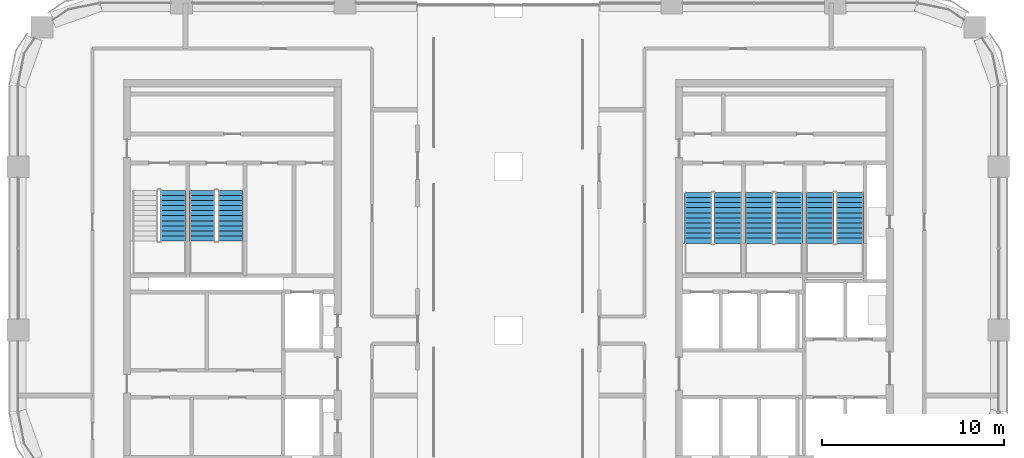
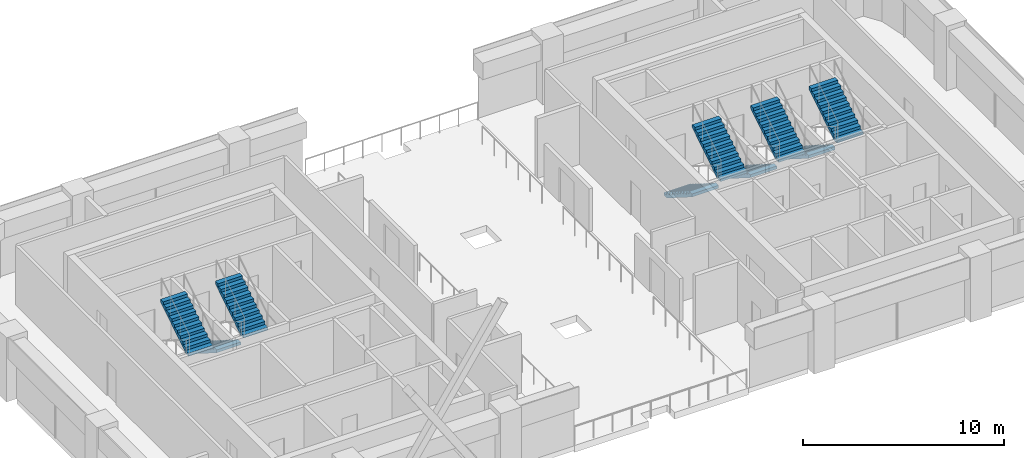
# One storey, part 9 of 11: 9 stair flights, 5 elements without a shape of their own.
"""IFC4 building model written with IfcOpenShell, lengths in metres."""

from ifc_helpers import new_model, si_unit, direction, frame, origin, place, context, subcontext, project, spatial, polyline, outline, extrude, material, type_object, element, aggregate, save


model = new_model("IFC4")

# Units and contexts
model_context = context("Model", 3, precision=1e-05, world=origin(), true_north=direction((0.0, 1.0)))
body_context = subcontext(model_context, "Body", "Model", "MODEL_VIEW")
ifc_project = project(units=[si_unit("LENGTHUNIT", "METRE"), si_unit("AREAUNIT", "SQUARE_METRE"), si_unit("VOLUMEUNIT", "CUBIC_METRE"), si_unit("PLANEANGLEUNIT", "RADIAN"), si_unit("MASSUNIT", "GRAM", prefix="KILO")], contexts=[model_context])

# Site, building, storey
site_placement = place(None, origin())
site = spatial("IfcSite", under=ifc_project, at=site_placement, CompositionType="ELEMENT")
building_placement = place(site_placement, origin())
building = spatial("IfcBuilding", under=site, at=building_placement, Name="Tessera Arch", CompositionType="ELEMENT")
storey_placement = place(building_placement, frame((0.0, 0.0, 203.300048828125)))
storey = spatial("IfcBuildingStorey", under=building, at=storey_placement, Name="L48", CompositionType="ELEMENT", Elevation=203.300048828125)

# Stair, stair flight
ifc_material_1 = material(Name="Concrete C40/50", Category="concrete")
stair_type_1 = type_object("IfcStairType", Name="Dogleg stair 1400", PredefinedType="HALF_TURN_STAIR", material=ifc_material_1)
stair_1_placement = place(storey_placement, origin())
stair_1 = element("IfcStair", 1, at=stair_1_placement, inside=storey, type_object=stair_type_1, Name="L48 S2a", PredefinedType="HALF_TURN_STAIR")
ifc_material_2 = material(Name="Concrete C40/50", Category="concrete")
stair_flight_type_1 = type_object("IfcStairFlightType", Name="Stair flight 1400", PredefinedType="STRAIGHT", material=ifc_material_2)
stair_flight_1_placement = place(storey_placement, frame((8.550048828125, 40.89990234375, 1.949951171875), z_axis=(0.0, 0.0, 1.0), x_axis=(0.0, 1.0, 0.0)))
stair_flight_1 = element("IfcStairFlight", 2, at=stair_flight_1_placement, type_object=stair_flight_type_1, Name="S2a flight 2", NumberOfRisers=11, NumberOfTreads=10, PredefinedType="STRAIGHT", RiserHeight=0.177272727, TreadLength=0.28, context=body_context, shape_type="SweptSolid", body=[
    extrude(outline(polyline([(0.0, 0.0), (0.0, 0.17724609375), (0.280029296875, 0.17724609375), (0.280029296875, 0.3544921875), (0.56005859375, 0.3544921875), (0.56005859375, 0.53173828125), (0.840087890625, 0.53173828125), (0.840087890625, 0.708984375), (1.1201171875, 0.708984375), (1.1201171875, 0.886474609375), (1.39990234375, 0.886474609375), (1.39990234375, 1.063720703125), (1.679931640625, 1.063720703125), (1.679931640625, 1.240966796875), (1.9599609375, 1.240966796875), (1.9599609375, 1.418212890625), (2.239990234375, 1.418212890625), (2.239990234375, 1.595458984375), (2.52001953125, 1.595458984375), (2.52001953125, 1.772705078125), (2.800048828125, 1.772705078125), (2.800048828125, 1.949951171875), (2.800048828125, 1.59521484375), (0.2802734375, 0.0), (0.0, 0.0)])), frame((0.0, 0.699951171875, 0.0), z_axis=(0.0, -1.0, 0.0), x_axis=(1.0, 0.0, 0.0)), (0.0, 0.0, 1.0), 1.39990234375),
])
aggregate(stair_1, [stair_flight_1])

# Stair, stair flights
stair_2_placement = place(storey_placement, origin())
stair_2 = element("IfcStair", 3, at=stair_2_placement, inside=storey, type_object=stair_type_1, Name="L48 S2b", PredefinedType="HALF_TURN_STAIR")
stair_flight_2_placement = place(storey_placement, frame((10.14990234375, 43.699951171875, 0.0), z_axis=(0.0, 0.0, 1.0), x_axis=(0.0, -1.0, 0.0)))
stair_flight_2 = element("IfcStairFlight", 4, at=stair_flight_2_placement, type_object=stair_flight_type_1, Name="S2b flight 1", NumberOfRisers=11, NumberOfTreads=10, PredefinedType="STRAIGHT", RiserHeight=0.177272727, TreadLength=0.28, context=body_context, shape_type="SweptSolid", body=[
    extrude(outline(polyline([(0.0, 0.0), (0.0, 0.17724609375), (0.280029296875, 0.17724609375), (0.280029296875, 0.3544921875), (0.56005859375, 0.3544921875), (0.56005859375, 0.53173828125), (0.840087890625, 0.53173828125), (0.840087890625, 0.708984375), (1.1201171875, 0.708984375), (1.1201171875, 0.886474609375), (1.39990234375, 0.886474609375), (1.39990234375, 1.063720703125), (1.679931640625, 1.063720703125), (1.679931640625, 1.240966796875), (1.9599609375, 1.240966796875), (1.9599609375, 1.418212890625), (2.239990234375, 1.418212890625), (2.239990234375, 1.595458984375), (2.52001953125, 1.595458984375), (2.52001953125, 1.772705078125), (2.800048828125, 1.772705078125), (2.800048828125, 1.949951171875), (2.800048828125, 1.59521484375), (0.2802734375, 0.0), (0.0, 0.0)])), frame((0.0, 0.699951171875, 0.0), z_axis=(0.0, -1.0, 0.0), x_axis=(1.0, 0.0, 0.0)), (0.0, 0.0, 1.0), 1.39990234375),
])
stair_flight_3_placement = place(storey_placement, frame((11.699951171875, 40.89990234375, 1.949951171875), z_axis=(0.0, 0.0, 1.0), x_axis=(0.0, 1.0, 0.0)))
stair_flight_3 = element("IfcStairFlight", 5, at=stair_flight_3_placement, type_object=stair_flight_type_1, Name="S2b flight 2", NumberOfRisers=11, NumberOfTreads=10, PredefinedType="STRAIGHT", RiserHeight=0.177272727, TreadLength=0.28, context=body_context, shape_type="SweptSolid", body=[
    extrude(outline(polyline([(0.0, 0.0), (0.0, 0.17724609375), (0.280029296875, 0.17724609375), (0.280029296875, 0.3544921875), (0.56005859375, 0.3544921875), (0.56005859375, 0.53173828125), (0.840087890625, 0.53173828125), (0.840087890625, 0.708984375), (1.1201171875, 0.708984375), (1.1201171875, 0.886474609375), (1.39990234375, 0.886474609375), (1.39990234375, 1.063720703125), (1.679931640625, 1.063720703125), (1.679931640625, 1.240966796875), (1.9599609375, 1.240966796875), (1.9599609375, 1.418212890625), (2.239990234375, 1.418212890625), (2.239990234375, 1.595458984375), (2.52001953125, 1.595458984375), (2.52001953125, 1.772705078125), (2.800048828125, 1.772705078125), (2.800048828125, 1.949951171875), (2.800048828125, 1.59521484375), (0.2802734375, 0.0), (0.0, 0.0)])), frame((0.0, 0.699951171875, 0.0), z_axis=(0.0, -1.0, 0.0), x_axis=(1.0, 0.0, 0.0)), (0.0, 0.0, 1.0), 1.39990234375),
])
aggregate(stair_2, [stair_flight_2, stair_flight_3])

ifc_material_3 = material(Name="Concrete C40/50", Category="concrete")
stair_type_2 = type_object("IfcStairType", Name="Dogleg stair 1520", PredefinedType="HALF_TURN_STAIR", material=ifc_material_3)
stair_3_placement = place(storey_placement, origin())
stair_3 = element("IfcStair", 6, at=stair_3_placement, inside=storey, type_object=stair_type_2, Name="L48 S1a", PredefinedType="HALF_TURN_STAIR")
ifc_material_4 = material(Name="Concrete C40/50", Category="concrete")
stair_flight_type_2 = type_object("IfcStairFlightType", Name="Stair flight 1520", PredefinedType="STRAIGHT", material=ifc_material_4)
stair_flight_4_placement = place(storey_placement, frame((37.4599609375, 43.580078125, 0.0), z_axis=(0.0, 0.0, 1.0), x_axis=(0.0, -1.0, 0.0)))
stair_flight_4 = element("IfcStairFlight", 7, at=stair_flight_4_placement, type_object=stair_flight_type_2, Name="S1a flight 1", NumberOfRisers=11, NumberOfTreads=10, PredefinedType="STRAIGHT", RiserHeight=0.177272727, TreadLength=0.28, context=body_context, shape_type="SweptSolid", body=[
    extrude(outline(polyline([(0.0, 0.0), (0.0, 0.17724609375), (0.280029296875, 0.17724609375), (0.280029296875, 0.3544921875), (0.56005859375, 0.3544921875), (0.56005859375, 0.53173828125), (0.840087890625, 0.53173828125), (0.840087890625, 0.708984375), (1.1201171875, 0.708984375), (1.1201171875, 0.886474609375), (1.39990234375, 0.886474609375), (1.39990234375, 1.063720703125), (1.679931640625, 1.063720703125), (1.679931640625, 1.240966796875), (1.9599609375, 1.240966796875), (1.9599609375, 1.418212890625), (2.239990234375, 1.418212890625), (2.239990234375, 1.595458984375), (2.52001953125, 1.595458984375), (2.52001953125, 1.772705078125), (2.800048828125, 1.772705078125), (2.800048828125, 1.949951171875), (2.800048828125, 1.59521484375), (0.2802734375, 0.0), (0.0, 0.0)])), frame((0.0, 0.760009765625, 0.0), z_axis=(0.0, -1.0, 0.0), x_axis=(1.0, 0.0, 0.0)), (0.0, 0.0, 1.0), 1.52001953125),
])
stair_flight_5_placement = place(storey_placement, frame((39.090087890625, 40.780029296875, 1.949951171875), z_axis=(0.0, 0.0, 1.0), x_axis=(0.0, 1.0, 0.0)))
stair_flight_5 = element("IfcStairFlight", 8, at=stair_flight_5_placement, type_object=stair_flight_type_2, Name="S1a flight 2", NumberOfRisers=11, NumberOfTreads=10, PredefinedType="STRAIGHT", RiserHeight=0.177272727, TreadLength=0.28, context=body_context, shape_type="SweptSolid", body=[
    extrude(outline(polyline([(0.0, 0.0), (0.0, 0.17724609375), (0.280029296875, 0.17724609375), (0.280029296875, 0.3544921875), (0.56005859375, 0.3544921875), (0.56005859375, 0.53173828125), (0.840087890625, 0.53173828125), (0.840087890625, 0.708984375), (1.1201171875, 0.708984375), (1.1201171875, 0.886474609375), (1.39990234375, 0.886474609375), (1.39990234375, 1.063720703125), (1.679931640625, 1.063720703125), (1.679931640625, 1.240966796875), (1.9599609375, 1.240966796875), (1.9599609375, 1.418212890625), (2.239990234375, 1.418212890625), (2.239990234375, 1.595458984375), (2.52001953125, 1.595458984375), (2.52001953125, 1.772705078125), (2.800048828125, 1.772705078125), (2.800048828125, 1.949951171875), (2.800048828125, 1.59521484375), (0.2802734375, 0.0), (0.0, 0.0)])), frame((0.0, 0.760009765625, 0.0), z_axis=(0.0, -1.0, 0.0), x_axis=(1.0, 0.0, 0.0)), (0.0, 0.0, 1.0), 1.52001953125),
])
aggregate(stair_3, [stair_flight_4, stair_flight_5])

stair_4_placement = place(storey_placement, origin())
stair_4 = element("IfcStair", 9, at=stair_4_placement, inside=storey, type_object=stair_type_2, Name="L48 S1b", PredefinedType="HALF_TURN_STAIR")
stair_flight_6_placement = place(storey_placement, frame((40.81005859375, 43.580078125, 0.0), z_axis=(0.0, 0.0, 1.0), x_axis=(0.0, -1.0, 0.0)))
stair_flight_6 = element("IfcStairFlight", 10, at=stair_flight_6_placement, type_object=stair_flight_type_2, Name="S1b flight 1", NumberOfRisers=11, NumberOfTreads=10, PredefinedType="STRAIGHT", RiserHeight=0.177272727, TreadLength=0.28, context=body_context, shape_type="SweptSolid", body=[
    extrude(outline(polyline([(0.0, 0.0), (0.0, 0.17724609375), (0.280029296875, 0.17724609375), (0.280029296875, 0.3544921875), (0.56005859375, 0.3544921875), (0.56005859375, 0.53173828125), (0.840087890625, 0.53173828125), (0.840087890625, 0.708984375), (1.1201171875, 0.708984375), (1.1201171875, 0.886474609375), (1.39990234375, 0.886474609375), (1.39990234375, 1.063720703125), (1.679931640625, 1.063720703125), (1.679931640625, 1.240966796875), (1.9599609375, 1.240966796875), (1.9599609375, 1.418212890625), (2.239990234375, 1.418212890625), (2.239990234375, 1.595458984375), (2.52001953125, 1.595458984375), (2.52001953125, 1.772705078125), (2.800048828125, 1.772705078125), (2.800048828125, 1.949951171875), (2.800048828125, 1.59521484375), (0.2802734375, 0.0), (0.0, 0.0)])), frame((0.0, 0.760009765625, 0.0), z_axis=(0.0, -1.0, 0.0), x_axis=(1.0, 0.0, 0.0)), (0.0, 0.0, 1.0), 1.52001953125),
])
stair_flight_7_placement = place(storey_placement, frame((42.43994140625, 40.780029296875, 1.949951171875), z_axis=(0.0, 0.0, 1.0), x_axis=(0.0, 1.0, 0.0)))
stair_flight_7 = element("IfcStairFlight", 11, at=stair_flight_7_placement, type_object=stair_flight_type_2, Name="S1b flight 2", NumberOfRisers=11, NumberOfTreads=10, PredefinedType="STRAIGHT", RiserHeight=0.177272727, TreadLength=0.28, context=body_context, shape_type="SweptSolid", body=[
    extrude(outline(polyline([(0.0, 0.0), (0.0, 0.17724609375), (0.280029296875, 0.17724609375), (0.280029296875, 0.3544921875), (0.56005859375, 0.3544921875), (0.56005859375, 0.53173828125), (0.840087890625, 0.53173828125), (0.840087890625, 0.708984375), (1.1201171875, 0.708984375), (1.1201171875, 0.886474609375), (1.39990234375, 0.886474609375), (1.39990234375, 1.063720703125), (1.679931640625, 1.063720703125), (1.679931640625, 1.240966796875), (1.9599609375, 1.240966796875), (1.9599609375, 1.418212890625), (2.239990234375, 1.418212890625), (2.239990234375, 1.595458984375), (2.52001953125, 1.595458984375), (2.52001953125, 1.772705078125), (2.800048828125, 1.772705078125), (2.800048828125, 1.949951171875), (2.800048828125, 1.59521484375), (0.2802734375, 0.0), (0.0, 0.0)])), frame((0.0, 0.760009765625, 0.0), z_axis=(0.0, -1.0, 0.0), x_axis=(1.0, 0.0, 0.0)), (0.0, 0.0, 1.0), 1.52001953125),
])
aggregate(stair_4, [stair_flight_6, stair_flight_7])

stair_5_placement = place(storey_placement, origin())
stair_5 = element("IfcStair", 12, at=stair_5_placement, inside=storey, type_object=stair_type_2, Name="L48 S1c", PredefinedType="HALF_TURN_STAIR")
stair_flight_8_placement = place(storey_placement, frame((44.159912109375, 43.580078125, 0.0), z_axis=(0.0, 0.0, 1.0), x_axis=(0.0, -1.0, 0.0)))
stair_flight_8 = element("IfcStairFlight", 13, at=stair_flight_8_placement, type_object=stair_flight_type_2, Name="S1c flight 1", NumberOfRisers=11, NumberOfTreads=10, PredefinedType="STRAIGHT", RiserHeight=0.177272727, TreadLength=0.28, context=body_context, shape_type="SweptSolid", body=[
    extrude(outline(polyline([(0.0, 0.0), (0.0, 0.17724609375), (0.280029296875, 0.17724609375), (0.280029296875, 0.3544921875), (0.56005859375, 0.3544921875), (0.56005859375, 0.53173828125), (0.840087890625, 0.53173828125), (0.840087890625, 0.708984375), (1.1201171875, 0.708984375), (1.1201171875, 0.886474609375), (1.39990234375, 0.886474609375), (1.39990234375, 1.063720703125), (1.679931640625, 1.063720703125), (1.679931640625, 1.240966796875), (1.9599609375, 1.240966796875), (1.9599609375, 1.418212890625), (2.239990234375, 1.418212890625), (2.239990234375, 1.595458984375), (2.52001953125, 1.595458984375), (2.52001953125, 1.772705078125), (2.800048828125, 1.772705078125), (2.800048828125, 1.949951171875), (2.800048828125, 1.59521484375), (0.2802734375, 0.0), (0.0, 0.0)])), frame((0.0, 0.760009765625, 0.0), z_axis=(0.0, -1.0, 0.0), x_axis=(1.0, 0.0, 0.0)), (0.0, 0.0, 1.0), 1.52001953125),
])
stair_flight_9_placement = place(storey_placement, frame((45.7900390625, 40.780029296875, 1.949951171875), z_axis=(0.0, 0.0, 1.0), x_axis=(0.0, 1.0, 0.0)))
stair_flight_9 = element("IfcStairFlight", 14, at=stair_flight_9_placement, type_object=stair_flight_type_2, Name="S1c flight 2", NumberOfRisers=11, NumberOfTreads=10, PredefinedType="STRAIGHT", RiserHeight=0.177272727, TreadLength=0.28, context=body_context, shape_type="SweptSolid", body=[
    extrude(outline(polyline([(0.0, 0.0), (0.0, 0.17724609375), (0.280029296875, 0.17724609375), (0.280029296875, 0.3544921875), (0.56005859375, 0.3544921875), (0.56005859375, 0.53173828125), (0.840087890625, 0.53173828125), (0.840087890625, 0.708984375), (1.1201171875, 0.708984375), (1.1201171875, 0.886474609375), (1.39990234375, 0.886474609375), (1.39990234375, 1.063720703125), (1.679931640625, 1.063720703125), (1.679931640625, 1.240966796875), (1.9599609375, 1.240966796875), (1.9599609375, 1.418212890625), (2.239990234375, 1.418212890625), (2.239990234375, 1.595458984375), (2.52001953125, 1.595458984375), (2.52001953125, 1.772705078125), (2.800048828125, 1.772705078125), (2.800048828125, 1.949951171875), (2.800048828125, 1.59521484375), (0.2802734375, 0.0), (0.0, 0.0)])), frame((0.0, 0.760009765625, 0.0), z_axis=(0.0, -1.0, 0.0), x_axis=(1.0, 0.0, 0.0)), (0.0, 0.0, 1.0), 1.52001953125),
])
aggregate(stair_5, [stair_flight_8, stair_flight_9])

save(model, "model.ifc")
